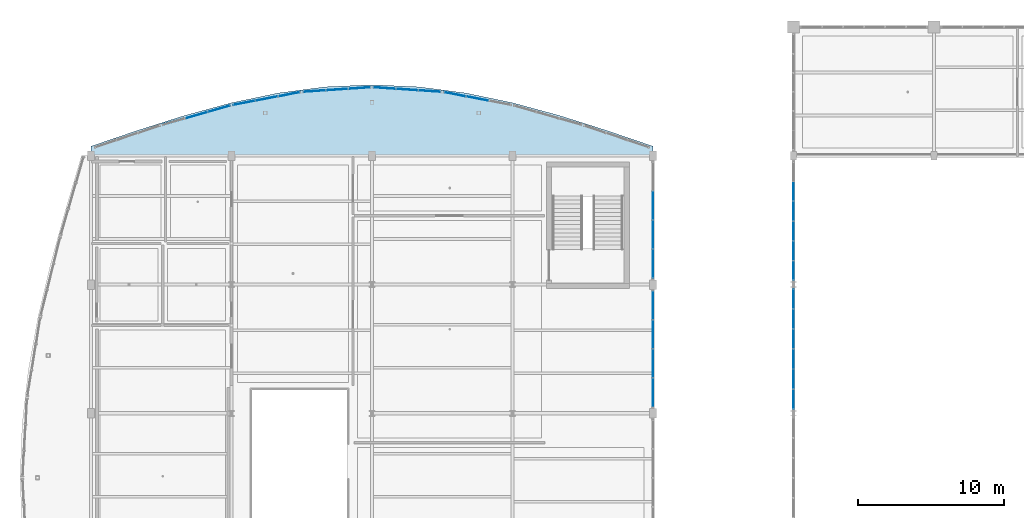
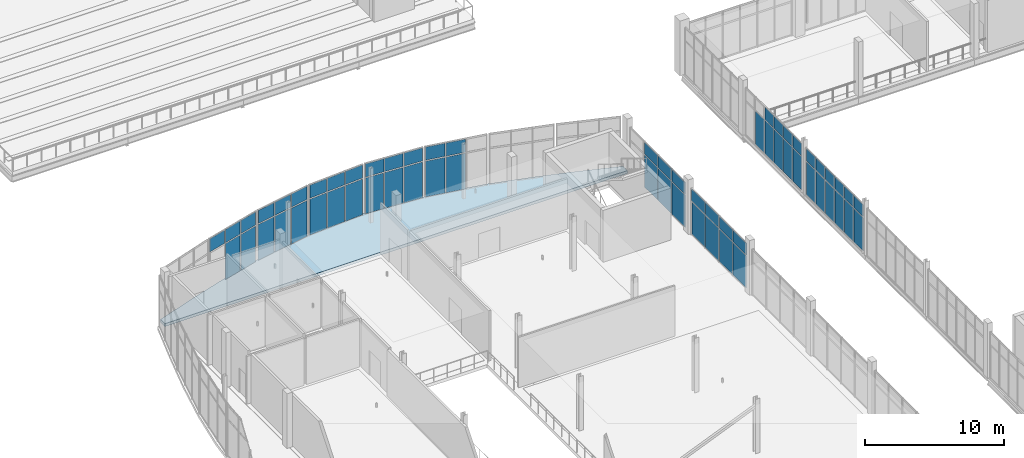
# One storey, part 117 of 157: 62 plates, 1 slab, 9 elements without a shape of their own.
"""IFC4 building model written with IfcOpenShell, lengths in metres."""

from ifc_helpers import new_model, si_unit, direction, frame, origin, origin_2d, place, context, subcontext, project, spatial, polyline, rectangle, outline, extrude, material, layer, layer_set, type_object, element, aggregate, save


model = new_model("IFC4")

# Units and contexts
model_context = context("Model", 3, precision=1e-05, world=origin(), true_north=direction((0.0, 1.0)))
body_context = subcontext(model_context, "Body", "Model", "MODEL_VIEW")
ifc_project = project(units=[si_unit("LENGTHUNIT", "METRE"), si_unit("AREAUNIT", "SQUARE_METRE"), si_unit("VOLUMEUNIT", "CUBIC_METRE"), si_unit("PLANEANGLEUNIT", "RADIAN"), si_unit("MASSUNIT", "GRAM", prefix="KILO")], contexts=[model_context])

# Site, building, storey
site_placement = place(None, origin())
site = spatial("IfcSite", under=ifc_project, at=site_placement, CompositionType="ELEMENT")
building_placement = place(site_placement, origin())
building = spatial("IfcBuilding", under=site, at=building_placement, Name="Chalmorin Arch Market", CompositionType="ELEMENT")
storey_placement = place(building_placement, frame((0.0, 0.0, 4.800048828125)))
storey = spatial("IfcBuildingStorey", under=building, at=storey_placement, Name="L01", CompositionType="ELEMENT", Elevation=4.800048828125)

# Slab
ifc_material_1 = material(Name="Concrete C40/50", Category="concrete")
ifc_layer_1 = layer(ifc_material_1, 0.25)
ifc_layer_set_1 = layer_set([ifc_layer_1], Name="Concrete C40/50")
slab_type = type_object("IfcSlabType", Name="MezzanineDeckSlab-250", PredefinedType="FLOOR", material=ifc_layer_set_1)
slab_placement = place(storey_placement, frame((0.0, 0.0, -0.25)))
element("IfcSlab", 1, at=slab_placement, inside=storey, type_object=slab_type, Name="FS-250-129", PredefinedType="FLOOR", context=body_context, shape_type="SweptSolid", body=[
    extrude(outline(polyline([(0.0, 50.02001953125), (0.0, 50.64990234375), (3.199951171875, 51.737060546875), (6.39990234375, 52.75), (9.60009765625, 53.6201171875), (12.800048828125, 54.287109375), (16.0, 54.70703125), (19.199951171875, 54.85009765625), (22.39990234375, 54.70703125), (25.60009765625, 54.287109375), (28.800048828125, 53.6201171875), (32.0, 52.75), (35.199951171875, 51.737060546875), (38.39990234375, 50.64990234375), (38.39990234375, 50.02001953125), (0.0, 50.02001953125)])), origin(), (0.0, 0.0, 1.0), 0.25),
])

# Curtain wall, plates
ifc_material_2 = material(Name="Aluminium 6063-T6", Category="aluminium")
ifc_layer_2 = layer(ifc_material_2, 0.159912109375)
ifc_layer_set_2 = layer_set([ifc_layer_2], Name="Aluminium 6063-T6")
curtain_wall_type_1 = type_object("IfcCurtainWallType", Name="GableTympanumCurtainWall-CW4-8220x4200", PredefinedType="NOTDEFINED", material=ifc_layer_set_2)
curtain_wall_1_placement = place(storey_placement, origin())
curtain_wall_1 = element("IfcCurtainWall", 2, at=curtain_wall_1_placement, inside=storey, type_object=curtain_wall_type_1, Name="CW-04-031", PredefinedType="NOTDEFINED")
ifc_material_3 = material(Name="Powder-coated Aluminium Panel", Category="aluminium")
ifc_layer_3 = layer(ifc_material_3, 0.0400390625)
ifc_layer_set_3 = layer_set([ifc_layer_3], Name="Powder-coated Aluminium Panel")
plate_type_1 = type_object("IfcPlateType", Name="ShadowboxSpandrelPanel-40", PredefinedType="CURTAIN_PANEL", material=ifc_layer_set_3)
plate_1_placement = place(storey_placement, frame((48.0, 33.373291015625, 3.06884765625), z_axis=(0.0, 0.0, 1.0), x_axis=(0.0, 1.0, 0.0)))
plate_1 = element("IfcPlate", 3, at=plate_1_placement, type_object=plate_type_1, Name="SP-40-031-01B", PredefinedType="CURTAIN_PANEL", context=body_context, shape_type="SweptSolid", body=[
    extrude(rectangle(XDim=1.290771484375, YDim=0.0400390625, at=origin_2d()), origin(), (0.0, 0.0, 1.0), 1.06103515625),
])
plate_2_placement = place(storey_placement, frame((48.0, 34.743896484375, 3.06884765625), z_axis=(0.0, 0.0, 1.0), x_axis=(0.0, 1.0, 0.0)))
plate_2 = element("IfcPlate", 4, at=plate_2_placement, type_object=plate_type_1, Name="SP-40-031-02B", PredefinedType="CURTAIN_PANEL", context=body_context, shape_type="SweptSolid", body=[
    extrude(rectangle(XDim=1.290771484375, YDim=0.0400390625, at=origin_2d()), origin(), (0.0, 0.0, 1.0), 1.06103515625),
])
plate_3_placement = place(storey_placement, frame((48.0, 36.11474609375, 3.06884765625), z_axis=(0.0, 0.0, 1.0), x_axis=(0.0, 1.0, 0.0)))
plate_3 = element("IfcPlate", 5, at=plate_3_placement, type_object=plate_type_1, Name="SP-40-031-03B", PredefinedType="CURTAIN_PANEL", context=body_context, shape_type="SweptSolid", body=[
    extrude(rectangle(XDim=1.290771484375, YDim=0.0400390625, at=origin_2d()), origin(), (0.0, 0.0, 1.0), 1.06103515625),
])
plate_4_placement = place(storey_placement, frame((48.0, 37.4853515625, 3.06884765625), z_axis=(0.0, 0.0, 1.0), x_axis=(0.0, 1.0, 0.0)))
plate_4 = element("IfcPlate", 6, at=plate_4_placement, type_object=plate_type_1, Name="SP-40-031-04B", PredefinedType="CURTAIN_PANEL", context=body_context, shape_type="SweptSolid", body=[
    extrude(rectangle(XDim=1.290771484375, YDim=0.0400390625, at=origin_2d()), origin(), (0.0, 0.0, 1.0), 1.06103515625),
])
plate_5_placement = place(storey_placement, frame((48.0, 38.85595703125, 3.06884765625), z_axis=(0.0, 0.0, 1.0), x_axis=(0.0, 1.0, 0.0)))
plate_5 = element("IfcPlate", 7, at=plate_5_placement, type_object=plate_type_1, Name="SP-40-031-05B", PredefinedType="CURTAIN_PANEL", context=body_context, shape_type="SweptSolid", body=[
    extrude(rectangle(XDim=1.290771484375, YDim=0.0400390625, at=origin_2d()), origin(), (0.0, 0.0, 1.0), 1.06103515625),
])
plate_6_placement = place(storey_placement, frame((48.0, 40.226806640625, 3.06884765625), z_axis=(0.0, 0.0, 1.0), x_axis=(0.0, 1.0, 0.0)))
plate_6 = element("IfcPlate", 8, at=plate_6_placement, type_object=plate_type_1, Name="SP-40-031-06B", PredefinedType="CURTAIN_PANEL", context=body_context, shape_type="SweptSolid", body=[
    extrude(rectangle(XDim=1.290771484375, YDim=0.0400390625, at=origin_2d()), origin(), (0.0, 0.0, 1.0), 1.06103515625),
])

ifc_layer_4 = layer(ifc_material_2, 0.159912109375)
ifc_layer_set_4 = layer_set([ifc_layer_4], Name="Aluminium 6063-T6")
curtain_wall_type_2 = type_object("IfcCurtainWallType", Name="GableTympanumCurtainWall-CW4-8100x4200", PredefinedType="NOTDEFINED", material=ifc_layer_set_4)
curtain_wall_2_placement = place(storey_placement, origin())
curtain_wall_2 = element("IfcCurtainWall", 9, at=curtain_wall_2_placement, inside=storey, type_object=curtain_wall_type_2, Name="CW-04-032", PredefinedType="NOTDEFINED")
plate_7_placement = place(storey_placement, frame((48.0, 42.1630859375, 3.06884765625), z_axis=(0.0, 0.0, 1.0), x_axis=(0.0, 1.0, 0.0)))
plate_7 = element("IfcPlate", 10, at=plate_7_placement, type_object=plate_type_1, Name="SP-40-032-01B", PredefinedType="CURTAIN_PANEL", context=body_context, shape_type="SweptSolid", body=[
    extrude(rectangle(XDim=1.270263671875, YDim=0.0400390625, at=origin_2d()), origin(), (0.0, 0.0, 1.0), 1.06103515625),
])
plate_8_placement = place(storey_placement, frame((48.0, 43.513427734375, 3.06884765625), z_axis=(0.0, 0.0, 1.0), x_axis=(0.0, 1.0, 0.0)))
plate_8 = element("IfcPlate", 11, at=plate_8_placement, type_object=plate_type_1, Name="SP-40-032-02B", PredefinedType="CURTAIN_PANEL", context=body_context, shape_type="SweptSolid", body=[
    extrude(rectangle(XDim=1.270263671875, YDim=0.0400390625, at=origin_2d()), origin(), (0.0, 0.0, 1.0), 1.06103515625),
])
plate_9_placement = place(storey_placement, frame((48.0, 44.86376953125, 3.06884765625), z_axis=(0.0, 0.0, 1.0), x_axis=(0.0, 1.0, 0.0)))
plate_9 = element("IfcPlate", 12, at=plate_9_placement, type_object=plate_type_1, Name="SP-40-032-03B", PredefinedType="CURTAIN_PANEL", context=body_context, shape_type="SweptSolid", body=[
    extrude(rectangle(XDim=1.270263671875, YDim=0.0400390625, at=origin_2d()), origin(), (0.0, 0.0, 1.0), 1.06103515625),
])
plate_10_placement = place(storey_placement, frame((48.0, 46.214111328125, 3.06884765625), z_axis=(0.0, 0.0, 1.0), x_axis=(0.0, 1.0, 0.0)))
plate_10 = element("IfcPlate", 13, at=plate_10_placement, type_object=plate_type_1, Name="SP-40-032-04B", PredefinedType="CURTAIN_PANEL", context=body_context, shape_type="SweptSolid", body=[
    extrude(rectangle(XDim=1.270263671875, YDim=0.0400390625, at=origin_2d()), origin(), (0.0, 0.0, 1.0), 1.06103515625),
])

ifc_layer_5 = layer(ifc_material_2, 0.159912109375)
ifc_layer_set_5 = layer_set([ifc_layer_5], Name="Aluminium 6063-T6")
curtain_wall_type_3 = type_object("IfcCurtainWallType", Name="RiverfrontStorefrontCurtainWall-CW2-4810x4520", PredefinedType="NOTDEFINED", material=ifc_layer_set_5)
curtain_wall_3_placement = place(storey_placement, origin())
curtain_wall_3 = element("IfcCurtainWall", 14, at=curtain_wall_3_placement, inside=storey, type_object=curtain_wall_type_3, Name="CW-02-073", PredefinedType="NOTDEFINED")
plate_11_placement = place(storey_placement, frame((5.65771484375, 52.33056640625, 3.29931640625), z_axis=(0.0, 0.0, 1.0), x_axis=(0.961261695938, 0.275637355817, 0.0)))
plate_11 = element("IfcPlate", 15, at=plate_11_placement, type_object=plate_type_1, Name="SP-40-073-01B", PredefinedType="CURTAIN_PANEL", context=body_context, shape_type="SweptSolid", body=[
    extrude(rectangle(XDim=1.523193359375, YDim=0.0400390625, at=origin_2d()), origin(), (0.0, 0.0, 1.0), 1.150634765625),
])
plate_12_placement = place(storey_placement, frame((7.199951171875, 52.7685546875, 3.29931640625), z_axis=(0.0, 0.0, 1.0), x_axis=(0.961261695938, 0.275637355817, 0.0)))
plate_12 = element("IfcPlate", 16, at=plate_12_placement, type_object=plate_type_1, Name="SP-40-073-02B", PredefinedType="CURTAIN_PANEL", context=body_context, shape_type="SweptSolid", body=[
    extrude(rectangle(XDim=1.523193359375, YDim=0.0400390625, at=origin_2d()), origin(), (0.0, 0.0, 1.0), 1.150634765625),
])
plate_13_placement = place(storey_placement, frame((8.7421875, 53.206298828125, 3.29931640625), z_axis=(0.0, 0.0, 1.0), x_axis=(0.961261695938, 0.275637355817, 0.0)))
plate_13 = element("IfcPlate", 17, at=plate_13_placement, type_object=plate_type_1, Name="SP-40-073-03B", PredefinedType="CURTAIN_PANEL", context=body_context, shape_type="SweptSolid", body=[
    extrude(rectangle(XDim=1.523193359375, YDim=0.0400390625, at=origin_2d()), origin(), (0.0, 0.0, 1.0), 1.150634765625),
])

ifc_layer_6 = layer(ifc_material_2, 0.159912109375)
ifc_layer_set_6 = layer_set([ifc_layer_6], Name="Aluminium 6063-T6")
curtain_wall_type_4 = type_object("IfcCurtainWallType", Name="RiverfrontStorefrontCurtainWall-CW2-4710x4520", PredefinedType="NOTDEFINED", material=ifc_layer_set_6)
curtain_wall_4_placement = place(storey_placement, origin())
curtain_wall_4 = element("IfcCurtainWall", 18, at=curtain_wall_4_placement, inside=storey, type_object=curtain_wall_type_4, Name="CW-02-076", PredefinedType="NOTDEFINED")
plate_14_placement = place(storey_placement, frame((10.458984375, 53.61279296875, 3.29931640625), z_axis=(0.0, 0.0, 1.0), x_axis=(0.981627183448, 0.190808995377, 0.0)))
plate_14 = element("IfcPlate", 19, at=plate_14_placement, type_object=plate_type_1, Name="SP-40-076-01B", PredefinedType="CURTAIN_PANEL", context=body_context, shape_type="SweptSolid", body=[
    extrude(rectangle(XDim=1.488525390625, YDim=0.0400390625, at=origin_2d()), origin(), (0.0, 0.0, 1.0), 1.150634765625),
])
plate_15_placement = place(storey_placement, frame((12.0, 53.905029296875, 3.29931640625), z_axis=(0.0, 0.0, 1.0), x_axis=(0.981627183448, 0.190808995377, 0.0)))
plate_15 = element("IfcPlate", 20, at=plate_15_placement, type_object=plate_type_1, Name="SP-40-076-02B", PredefinedType="CURTAIN_PANEL", context=body_context, shape_type="SweptSolid", body=[
    extrude(rectangle(XDim=1.488525390625, YDim=0.0400390625, at=origin_2d()), origin(), (0.0, 0.0, 1.0), 1.150634765625),
])
plate_16_placement = place(storey_placement, frame((13.541015625, 54.197021484375, 3.29931640625), z_axis=(0.0, 0.0, 1.0), x_axis=(0.981627183448, 0.190808995377, 0.0)))
plate_16 = element("IfcPlate", 21, at=plate_16_placement, type_object=plate_type_1, Name="SP-40-076-03B", PredefinedType="CURTAIN_PANEL", context=body_context, shape_type="SweptSolid", body=[
    extrude(rectangle(XDim=1.488525390625, YDim=0.0400390625, at=origin_2d()), origin(), (0.0, 0.0, 1.0), 1.150634765625),
])

ifc_layer_7 = layer(ifc_material_2, 0.159912109375)
ifc_layer_set_7 = layer_set([ifc_layer_7], Name="Aluminium 6063-T6")
curtain_wall_type_5 = type_object("IfcCurtainWallType", Name="RiverfrontStorefrontCurtainWall-CW2-4630x4520", PredefinedType="NOTDEFINED", material=ifc_layer_set_7)
curtain_wall_5_placement = place(storey_placement, origin())
curtain_wall_5 = element("IfcCurtainWall", 22, at=curtain_wall_5_placement, inside=storey, type_object=curtain_wall_type_5, Name="CW-02-079", PredefinedType="NOTDEFINED")
plate_17_placement = place(storey_placement, frame((15.260009765625, 54.417236328125, 3.29931640625), z_axis=(0.0, 0.0, 1.0), x_axis=(0.99756405026, 0.069756473744, 0.0)))
plate_17 = element("IfcPlate", 23, at=plate_17_placement, type_object=plate_type_1, Name="SP-40-079-01B", PredefinedType="CURTAIN_PANEL", context=body_context, shape_type="SweptSolid", body=[
    extrude(rectangle(XDim=1.463623046875, YDim=0.0400390625, at=origin_2d()), origin(), (0.0, 0.0, 1.0), 1.150634765625),
])
plate_18_placement = place(storey_placement, frame((16.800048828125, 54.52001953125, 3.29931640625), z_axis=(0.0, 0.0, 1.0), x_axis=(0.99756405026, 0.069756473744, 0.0)))
plate_18 = element("IfcPlate", 24, at=plate_18_placement, type_object=plate_type_1, Name="SP-40-079-02B", PredefinedType="CURTAIN_PANEL", context=body_context, shape_type="SweptSolid", body=[
    extrude(rectangle(XDim=1.463623046875, YDim=0.0400390625, at=origin_2d()), origin(), (0.0, 0.0, 1.0), 1.150634765625),
])
plate_19_placement = place(storey_placement, frame((18.340087890625, 54.622802734375, 3.29931640625), z_axis=(0.0, 0.0, 1.0), x_axis=(0.99756405026, 0.069756473744, 0.0)))
plate_19 = element("IfcPlate", 25, at=plate_19_placement, type_object=plate_type_1, Name="SP-40-079-03B", PredefinedType="CURTAIN_PANEL", context=body_context, shape_type="SweptSolid", body=[
    extrude(rectangle(XDim=1.463623046875, YDim=0.0400390625, at=origin_2d()), origin(), (0.0, 0.0, 1.0), 1.150634765625),
])

curtain_wall_6_placement = place(storey_placement, origin())
curtain_wall_6 = element("IfcCurtainWall", 26, at=curtain_wall_6_placement, inside=storey, type_object=curtain_wall_type_5, Name="CW-02-082", PredefinedType="NOTDEFINED")
plate_20_placement = place(storey_placement, frame((20.059814453125, 54.622802734375, 3.29931640625), z_axis=(0.0, 0.0, 1.0), x_axis=(0.99756405026, -0.069756473744, 0.0)))
plate_20 = element("IfcPlate", 27, at=plate_20_placement, type_object=plate_type_1, Name="SP-40-082-01B", PredefinedType="CURTAIN_PANEL", context=body_context, shape_type="SweptSolid", body=[
    extrude(rectangle(XDim=1.463623046875, YDim=0.0400390625, at=origin_2d()), origin(), (0.0, 0.0, 1.0), 1.150634765625),
])
plate_21_placement = place(storey_placement, frame((21.60009765625, 54.52001953125, 3.29931640625), z_axis=(0.0, 0.0, 1.0), x_axis=(0.99756405026, -0.069756473744, 0.0)))
plate_21 = element("IfcPlate", 28, at=plate_21_placement, type_object=plate_type_1, Name="SP-40-082-02B", PredefinedType="CURTAIN_PANEL", context=body_context, shape_type="SweptSolid", body=[
    extrude(rectangle(XDim=1.463623046875, YDim=0.0400390625, at=origin_2d()), origin(), (0.0, 0.0, 1.0), 1.150634765625),
])
plate_22_placement = place(storey_placement, frame((23.14013671875, 54.417236328125, 3.29931640625), z_axis=(0.0, 0.0, 1.0), x_axis=(0.99756405026, -0.069756473744, 0.0)))
plate_22 = element("IfcPlate", 29, at=plate_22_placement, type_object=plate_type_1, Name="SP-40-082-03B", PredefinedType="CURTAIN_PANEL", context=body_context, shape_type="SweptSolid", body=[
    extrude(rectangle(XDim=1.463623046875, YDim=0.0400390625, at=origin_2d()), origin(), (0.0, 0.0, 1.0), 1.150634765625),
])

curtain_wall_7_placement = place(storey_placement, origin())
curtain_wall_7 = element("IfcCurtainWall", 30, at=curtain_wall_7_placement, inside=storey, type_object=curtain_wall_type_4, Name="CW-02-085", PredefinedType="NOTDEFINED")
plate_23_placement = place(storey_placement, frame((24.85888671875, 54.197021484375, 3.29931640625), z_axis=(0.0, 0.0, 1.0), x_axis=(0.981627183448, -0.190808995377, 0.0)))
plate_23 = element("IfcPlate", 31, at=plate_23_placement, type_object=plate_type_1, Name="SP-40-085-01B", PredefinedType="CURTAIN_PANEL", context=body_context, shape_type="SweptSolid", body=[
    extrude(rectangle(XDim=1.488525390625, YDim=0.0400390625, at=origin_2d()), origin(), (0.0, 0.0, 1.0), 1.150634765625),
])
plate_24_placement = place(storey_placement, frame((26.39990234375, 53.905029296875, 3.29931640625), z_axis=(0.0, 0.0, 1.0), x_axis=(0.981627183448, -0.190808995377, 0.0)))
plate_24 = element("IfcPlate", 32, at=plate_24_placement, type_object=plate_type_1, Name="SP-40-085-02B", PredefinedType="CURTAIN_PANEL", context=body_context, shape_type="SweptSolid", body=[
    extrude(rectangle(XDim=1.488525390625, YDim=0.0400390625, at=origin_2d()), origin(), (0.0, 0.0, 1.0), 1.150634765625),
])

ifc_layer_8 = layer(ifc_material_2, 0.159912109375)
ifc_layer_set_8 = layer_set([ifc_layer_8], Name="Aluminium 6063-T6")
curtain_wall_type_6 = type_object("IfcCurtainWallType", Name="RiverfrontStorefrontCurtainWall-CW2-7930x4080", PredefinedType="NOTDEFINED", material=ifc_layer_set_8)
curtain_wall_8_placement = place(storey_placement, origin())
curtain_wall_8 = element("IfcCurtainWall", 33, at=curtain_wall_8_placement, inside=storey, type_object=curtain_wall_type_6, Name="CW-02-103", PredefinedType="NOTDEFINED")
plate_25_placement = place(storey_placement, frame((38.39990234375, 33.826416015625, 2.9794921875), z_axis=(0.0, 0.0, 1.0), x_axis=(0.0, 1.0, 0.0)))
plate_25 = element("IfcPlate", 34, at=plate_25_placement, type_object=plate_type_1, Name="SP-40-103-01B", PredefinedType="CURTAIN_PANEL", context=body_context, shape_type="SweptSolid", body=[
    extrude(rectangle(XDim=1.902587890625, YDim=0.0400390625, at=origin_2d()), origin(), (0.0, 0.0, 1.0), 1.0263671875),
])
plate_26_placement = place(storey_placement, frame((38.39990234375, 35.808837890625, 2.9794921875), z_axis=(0.0, 0.0, 1.0), x_axis=(0.0, 1.0, 0.0)))
plate_26 = element("IfcPlate", 35, at=plate_26_placement, type_object=plate_type_1, Name="SP-40-103-02B", PredefinedType="CURTAIN_PANEL", context=body_context, shape_type="SweptSolid", body=[
    extrude(rectangle(XDim=1.902587890625, YDim=0.0400390625, at=origin_2d()), origin(), (0.0, 0.0, 1.0), 1.0263671875),
])
plate_27_placement = place(storey_placement, frame((38.39990234375, 37.791259765625, 2.9794921875), z_axis=(0.0, 0.0, 1.0), x_axis=(0.0, 1.0, 0.0)))
plate_27 = element("IfcPlate", 36, at=plate_27_placement, type_object=plate_type_1, Name="SP-40-103-03B", PredefinedType="CURTAIN_PANEL", context=body_context, shape_type="SweptSolid", body=[
    extrude(rectangle(XDim=1.902587890625, YDim=0.0400390625, at=origin_2d()), origin(), (0.0, 0.0, 1.0), 1.0263671875),
])
plate_28_placement = place(storey_placement, frame((38.39990234375, 39.773681640625, 2.9794921875), z_axis=(0.0, 0.0, 1.0), x_axis=(0.0, 1.0, 0.0)))
plate_28 = element("IfcPlate", 37, at=plate_28_placement, type_object=plate_type_1, Name="SP-40-103-04B", PredefinedType="CURTAIN_PANEL", context=body_context, shape_type="SweptSolid", body=[
    extrude(rectangle(XDim=1.902587890625, YDim=0.0400390625, at=origin_2d()), origin(), (0.0, 0.0, 1.0), 1.0263671875),
])

curtain_wall_9_placement = place(storey_placement, origin())
curtain_wall_9 = element("IfcCurtainWall", 38, at=curtain_wall_9_placement, inside=storey, type_object=curtain_wall_type_6, Name="CW-02-105", PredefinedType="NOTDEFINED")
plate_29_placement = place(storey_placement, frame((38.39990234375, 42.626220703125, 2.9794921875), z_axis=(0.0, 0.0, 1.0), x_axis=(0.0, 1.0, 0.0)))
plate_29 = element("IfcPlate", 39, at=plate_29_placement, type_object=plate_type_1, Name="SP-40-105-01B", PredefinedType="CURTAIN_PANEL", context=body_context, shape_type="SweptSolid", body=[
    extrude(rectangle(XDim=1.902587890625, YDim=0.0400390625, at=origin_2d()), origin(), (0.0, 0.0, 1.0), 1.0263671875),
])
plate_30_placement = place(storey_placement, frame((38.39990234375, 44.60888671875, 2.9794921875), z_axis=(0.0, 0.0, 1.0), x_axis=(0.0, 1.0, 0.0)))
plate_30 = element("IfcPlate", 40, at=plate_30_placement, type_object=plate_type_1, Name="SP-40-105-02B", PredefinedType="CURTAIN_PANEL", context=body_context, shape_type="SweptSolid", body=[
    extrude(rectangle(XDim=1.902587890625, YDim=0.0400390625, at=origin_2d()), origin(), (0.0, 0.0, 1.0), 1.0263671875),
])
plate_31_placement = place(storey_placement, frame((38.39990234375, 46.59130859375, 2.9794921875), z_axis=(0.0, 0.0, 1.0), x_axis=(0.0, 1.0, 0.0)))
plate_31 = element("IfcPlate", 41, at=plate_31_placement, type_object=plate_type_1, Name="SP-40-105-03B", PredefinedType="CURTAIN_PANEL", context=body_context, shape_type="SweptSolid", body=[
    extrude(rectangle(XDim=1.902587890625, YDim=0.0400390625, at=origin_2d()), origin(), (0.0, 0.0, 1.0), 1.0263671875),
])

# Plate
ifc_material_4 = material(Name="Low-E Tempered Glass", Category="glass")
ifc_layer_9 = layer(ifc_material_4, 0.028076171875)
ifc_layer_set_9 = layer_set([ifc_layer_9], Name="Low-E Tempered Glass")
plate_type_2 = type_object("IfcPlateType", Name="VisionIGUPanel-28", PredefinedType="CURTAIN_PANEL", material=ifc_layer_set_9)
plate_32_placement = place(storey_placement, frame((48.0, 33.373291015625, 0.06982421875), z_axis=(0.0, 0.0, 1.0), x_axis=(0.0, 1.0, 0.0)))
plate_32 = element("IfcPlate", 42, at=plate_32_placement, type_object=plate_type_2, Name="GL-28-031-01A", PredefinedType="CURTAIN_PANEL", context=body_context, shape_type="SweptSolid", body=[
    extrude(rectangle(XDim=1.290771484375, YDim=0.028076171875, at=origin_2d()), origin(), (0.0, 0.0, 1.0), 2.908935546875),
])

plate_33_placement = place(storey_placement, frame((48.0, 34.743896484375, 0.06982421875), z_axis=(0.0, 0.0, 1.0), x_axis=(0.0, 1.0, 0.0)))
plate_33 = element("IfcPlate", 43, at=plate_33_placement, type_object=plate_type_2, Name="GL-28-031-02A", PredefinedType="CURTAIN_PANEL", context=body_context, shape_type="SweptSolid", body=[
    extrude(rectangle(XDim=1.290771484375, YDim=0.028076171875, at=origin_2d()), origin(), (0.0, 0.0, 1.0), 2.908935546875),
])

plate_34_placement = place(storey_placement, frame((48.0, 36.11474609375, 0.06982421875), z_axis=(0.0, 0.0, 1.0), x_axis=(0.0, 1.0, 0.0)))
plate_34 = element("IfcPlate", 44, at=plate_34_placement, type_object=plate_type_2, Name="GL-28-031-03A", PredefinedType="CURTAIN_PANEL", context=body_context, shape_type="SweptSolid", body=[
    extrude(rectangle(XDim=1.290771484375, YDim=0.028076171875, at=origin_2d()), origin(), (0.0, 0.0, 1.0), 2.908935546875),
])

plate_35_placement = place(storey_placement, frame((48.0, 37.4853515625, 0.06982421875), z_axis=(0.0, 0.0, 1.0), x_axis=(0.0, 1.0, 0.0)))
plate_35 = element("IfcPlate", 45, at=plate_35_placement, type_object=plate_type_2, Name="GL-28-031-04A", PredefinedType="CURTAIN_PANEL", context=body_context, shape_type="SweptSolid", body=[
    extrude(rectangle(XDim=1.290771484375, YDim=0.028076171875, at=origin_2d()), origin(), (0.0, 0.0, 1.0), 2.908935546875),
])

plate_36_placement = place(storey_placement, frame((48.0, 38.85595703125, 0.06982421875), z_axis=(0.0, 0.0, 1.0), x_axis=(0.0, 1.0, 0.0)))
plate_36 = element("IfcPlate", 46, at=plate_36_placement, type_object=plate_type_2, Name="GL-28-031-05A", PredefinedType="CURTAIN_PANEL", context=body_context, shape_type="SweptSolid", body=[
    extrude(rectangle(XDim=1.290771484375, YDim=0.028076171875, at=origin_2d()), origin(), (0.0, 0.0, 1.0), 2.908935546875),
])

plate_37_placement = place(storey_placement, frame((48.0, 40.226806640625, 0.06982421875), z_axis=(0.0, 0.0, 1.0), x_axis=(0.0, 1.0, 0.0)))
plate_37 = element("IfcPlate", 47, at=plate_37_placement, type_object=plate_type_2, Name="GL-28-031-06A", PredefinedType="CURTAIN_PANEL", context=body_context, shape_type="SweptSolid", body=[
    extrude(rectangle(XDim=1.290771484375, YDim=0.028076171875, at=origin_2d()), origin(), (0.0, 0.0, 1.0), 2.908935546875),
])

aggregate(curtain_wall_1, [plate_32, plate_1, plate_33, plate_2, plate_34, plate_3, plate_35, plate_4, plate_36, plate_5, plate_37, plate_6])

plate_38_placement = place(storey_placement, frame((48.0, 42.1630859375, 0.06982421875), z_axis=(0.0, 0.0, 1.0), x_axis=(0.0, 1.0, 0.0)))
plate_38 = element("IfcPlate", 48, at=plate_38_placement, type_object=plate_type_2, Name="GL-28-032-01A", PredefinedType="CURTAIN_PANEL", context=body_context, shape_type="SweptSolid", body=[
    extrude(rectangle(XDim=1.270263671875, YDim=0.028076171875, at=origin_2d()), origin(), (0.0, 0.0, 1.0), 2.908935546875),
])

plate_39_placement = place(storey_placement, frame((48.0, 43.513427734375, 0.06982421875), z_axis=(0.0, 0.0, 1.0), x_axis=(0.0, 1.0, 0.0)))
plate_39 = element("IfcPlate", 49, at=plate_39_placement, type_object=plate_type_2, Name="GL-28-032-02A", PredefinedType="CURTAIN_PANEL", context=body_context, shape_type="SweptSolid", body=[
    extrude(rectangle(XDim=1.270263671875, YDim=0.028076171875, at=origin_2d()), origin(), (0.0, 0.0, 1.0), 2.908935546875),
])

plate_40_placement = place(storey_placement, frame((48.0, 44.86376953125, 0.06982421875), z_axis=(0.0, 0.0, 1.0), x_axis=(0.0, 1.0, 0.0)))
plate_40 = element("IfcPlate", 50, at=plate_40_placement, type_object=plate_type_2, Name="GL-28-032-03A", PredefinedType="CURTAIN_PANEL", context=body_context, shape_type="SweptSolid", body=[
    extrude(rectangle(XDim=1.270263671875, YDim=0.028076171875, at=origin_2d()), origin(), (0.0, 0.0, 1.0), 2.908935546875),
])

plate_41_placement = place(storey_placement, frame((48.0, 46.214111328125, 0.06982421875), z_axis=(0.0, 0.0, 1.0), x_axis=(0.0, 1.0, 0.0)))
plate_41 = element("IfcPlate", 51, at=plate_41_placement, type_object=plate_type_2, Name="GL-28-032-04A", PredefinedType="CURTAIN_PANEL", context=body_context, shape_type="SweptSolid", body=[
    extrude(rectangle(XDim=1.270263671875, YDim=0.028076171875, at=origin_2d()), origin(), (0.0, 0.0, 1.0), 2.908935546875),
])

plate_42_placement = place(storey_placement, frame((48.0, 47.564453125, 0.06982421875), z_axis=(0.0, 0.0, 1.0), x_axis=(0.0, 1.0, 0.0)))
plate_42 = element("IfcPlate", 52, at=plate_42_placement, type_object=plate_type_2, Name="GL-28-032-05A", PredefinedType="CURTAIN_PANEL", context=body_context, shape_type="SweptSolid", body=[
    extrude(rectangle(XDim=1.270263671875, YDim=0.028076171875, at=origin_2d()), origin(), (0.0, 0.0, 1.0), 2.908935546875),
])

aggregate(curtain_wall_2, [plate_38, plate_7, plate_39, plate_8, plate_40, plate_9, plate_41, plate_10, plate_42])

plate_43_placement = place(storey_placement, frame((7.199951171875, 52.7685546875, 0.06982421875), z_axis=(0.0, 0.0, 1.0), x_axis=(0.961261695938, 0.275637355817, 0.0)))
plate_43 = element("IfcPlate", 53, at=plate_43_placement, type_object=plate_type_2, Name="GL-28-073-02A", PredefinedType="CURTAIN_PANEL", context=body_context, shape_type="SweptSolid", body=[
    extrude(rectangle(XDim=1.523193359375, YDim=0.028076171875, at=origin_2d()), origin(), (0.0, 0.0, 1.0), 3.139404296875),
])

plate_44_placement = place(storey_placement, frame((8.7421875, 53.206298828125, 0.06982421875), z_axis=(0.0, 0.0, 1.0), x_axis=(0.961261695938, 0.275637355817, 0.0)))
plate_44 = element("IfcPlate", 54, at=plate_44_placement, type_object=plate_type_2, Name="GL-28-073-03A", PredefinedType="CURTAIN_PANEL", context=body_context, shape_type="SweptSolid", body=[
    extrude(rectangle(XDim=1.523193359375, YDim=0.028076171875, at=origin_2d()), origin(), (0.0, 0.0, 1.0), 3.139404296875),
])

aggregate(curtain_wall_3, [plate_11, plate_43, plate_12, plate_44, plate_13])

plate_45_placement = place(storey_placement, frame((10.458984375, 53.61279296875, 0.06982421875), z_axis=(0.0, 0.0, 1.0), x_axis=(0.981627183448, 0.190808995377, 0.0)))
plate_45 = element("IfcPlate", 55, at=plate_45_placement, type_object=plate_type_2, Name="GL-28-076-01A", PredefinedType="CURTAIN_PANEL", context=body_context, shape_type="SweptSolid", body=[
    extrude(rectangle(XDim=1.488525390625, YDim=0.028076171875, at=origin_2d()), origin(), (0.0, 0.0, 1.0), 3.139404296875),
])

plate_46_placement = place(storey_placement, frame((12.0, 53.905029296875, 0.06982421875), z_axis=(0.0, 0.0, 1.0), x_axis=(0.981627183448, 0.190808995377, 0.0)))
plate_46 = element("IfcPlate", 56, at=plate_46_placement, type_object=plate_type_2, Name="GL-28-076-02A", PredefinedType="CURTAIN_PANEL", context=body_context, shape_type="SweptSolid", body=[
    extrude(rectangle(XDim=1.488525390625, YDim=0.028076171875, at=origin_2d()), origin(), (0.0, 0.0, 1.0), 3.139404296875),
])

plate_47_placement = place(storey_placement, frame((13.541015625, 54.197021484375, 0.06982421875), z_axis=(0.0, 0.0, 1.0), x_axis=(0.981627183448, 0.190808995377, 0.0)))
plate_47 = element("IfcPlate", 57, at=plate_47_placement, type_object=plate_type_2, Name="GL-28-076-03A", PredefinedType="CURTAIN_PANEL", context=body_context, shape_type="SweptSolid", body=[
    extrude(rectangle(XDim=1.488525390625, YDim=0.028076171875, at=origin_2d()), origin(), (0.0, 0.0, 1.0), 3.139404296875),
])

aggregate(curtain_wall_4, [plate_45, plate_14, plate_46, plate_15, plate_47, plate_16])

plate_48_placement = place(storey_placement, frame((15.260009765625, 54.417236328125, 0.06982421875), z_axis=(0.0, 0.0, 1.0), x_axis=(0.99756405026, 0.069756473744, 0.0)))
plate_48 = element("IfcPlate", 58, at=plate_48_placement, type_object=plate_type_2, Name="GL-28-079-01A", PredefinedType="CURTAIN_PANEL", context=body_context, shape_type="SweptSolid", body=[
    extrude(rectangle(XDim=1.463623046875, YDim=0.028076171875, at=origin_2d()), origin(), (0.0, 0.0, 1.0), 3.139404296875),
])

plate_49_placement = place(storey_placement, frame((16.800048828125, 54.52001953125, 0.06982421875), z_axis=(0.0, 0.0, 1.0), x_axis=(0.99756405026, 0.069756473744, 0.0)))
plate_49 = element("IfcPlate", 59, at=plate_49_placement, type_object=plate_type_2, Name="GL-28-079-02A", PredefinedType="CURTAIN_PANEL", context=body_context, shape_type="SweptSolid", body=[
    extrude(rectangle(XDim=1.463623046875, YDim=0.028076171875, at=origin_2d()), origin(), (0.0, 0.0, 1.0), 3.139404296875),
])

plate_50_placement = place(storey_placement, frame((18.340087890625, 54.622802734375, 0.06982421875), z_axis=(0.0, 0.0, 1.0), x_axis=(0.99756405026, 0.069756473744, 0.0)))
plate_50 = element("IfcPlate", 60, at=plate_50_placement, type_object=plate_type_2, Name="GL-28-079-03A", PredefinedType="CURTAIN_PANEL", context=body_context, shape_type="SweptSolid", body=[
    extrude(rectangle(XDim=1.463623046875, YDim=0.028076171875, at=origin_2d()), origin(), (0.0, 0.0, 1.0), 3.139404296875),
])

aggregate(curtain_wall_5, [plate_48, plate_17, plate_49, plate_18, plate_50, plate_19])

plate_51_placement = place(storey_placement, frame((20.059814453125, 54.622802734375, 0.06982421875), z_axis=(0.0, 0.0, 1.0), x_axis=(0.99756405026, -0.069756473744, 0.0)))
plate_51 = element("IfcPlate", 61, at=plate_51_placement, type_object=plate_type_2, Name="GL-28-082-01A", PredefinedType="CURTAIN_PANEL", context=body_context, shape_type="SweptSolid", body=[
    extrude(rectangle(XDim=1.463623046875, YDim=0.028076171875, at=origin_2d()), origin(), (0.0, 0.0, 1.0), 3.139404296875),
])

plate_52_placement = place(storey_placement, frame((21.60009765625, 54.52001953125, 0.06982421875), z_axis=(0.0, 0.0, 1.0), x_axis=(0.99756405026, -0.069756473744, 0.0)))
plate_52 = element("IfcPlate", 62, at=plate_52_placement, type_object=plate_type_2, Name="GL-28-082-02A", PredefinedType="CURTAIN_PANEL", context=body_context, shape_type="SweptSolid", body=[
    extrude(rectangle(XDim=1.463623046875, YDim=0.028076171875, at=origin_2d()), origin(), (0.0, 0.0, 1.0), 3.139404296875),
])

plate_53_placement = place(storey_placement, frame((23.14013671875, 54.417236328125, 0.06982421875), z_axis=(0.0, 0.0, 1.0), x_axis=(0.99756405026, -0.069756473744, 0.0)))
plate_53 = element("IfcPlate", 63, at=plate_53_placement, type_object=plate_type_2, Name="GL-28-082-03A", PredefinedType="CURTAIN_PANEL", context=body_context, shape_type="SweptSolid", body=[
    extrude(rectangle(XDim=1.463623046875, YDim=0.028076171875, at=origin_2d()), origin(), (0.0, 0.0, 1.0), 3.139404296875),
])

aggregate(curtain_wall_6, [plate_51, plate_20, plate_52, plate_21, plate_53, plate_22])

plate_54_placement = place(storey_placement, frame((24.85888671875, 54.197021484375, 0.06982421875), z_axis=(0.0, 0.0, 1.0), x_axis=(0.981627183448, -0.190808995377, 0.0)))
plate_54 = element("IfcPlate", 64, at=plate_54_placement, type_object=plate_type_2, Name="GL-28-085-01A", PredefinedType="CURTAIN_PANEL", context=body_context, shape_type="SweptSolid", body=[
    extrude(rectangle(XDim=1.488525390625, YDim=0.028076171875, at=origin_2d()), origin(), (0.0, 0.0, 1.0), 3.139404296875),
])

plate_55_placement = place(storey_placement, frame((26.39990234375, 53.905029296875, 0.06982421875), z_axis=(0.0, 0.0, 1.0), x_axis=(0.981627183448, -0.190808995377, 0.0)))
plate_55 = element("IfcPlate", 65, at=plate_55_placement, type_object=plate_type_2, Name="GL-28-085-02A", PredefinedType="CURTAIN_PANEL", context=body_context, shape_type="SweptSolid", body=[
    extrude(rectangle(XDim=1.488525390625, YDim=0.028076171875, at=origin_2d()), origin(), (0.0, 0.0, 1.0), 3.139404296875),
])

aggregate(curtain_wall_7, [plate_54, plate_23, plate_55, plate_24])

plate_56_placement = place(storey_placement, frame((38.39990234375, 33.826416015625, 0.06982421875), z_axis=(0.0, 0.0, 1.0), x_axis=(0.0, 1.0, 0.0)))
plate_56 = element("IfcPlate", 66, at=plate_56_placement, type_object=plate_type_2, Name="GL-28-103-01A", PredefinedType="CURTAIN_PANEL", context=body_context, shape_type="SweptSolid", body=[
    extrude(rectangle(XDim=1.902587890625, YDim=0.028076171875, at=origin_2d()), origin(), (0.0, 0.0, 1.0), 2.819580078125),
])

plate_57_placement = place(storey_placement, frame((38.39990234375, 35.808837890625, 0.06982421875), z_axis=(0.0, 0.0, 1.0), x_axis=(0.0, 1.0, 0.0)))
plate_57 = element("IfcPlate", 67, at=plate_57_placement, type_object=plate_type_2, Name="GL-28-103-02A", PredefinedType="CURTAIN_PANEL", context=body_context, shape_type="SweptSolid", body=[
    extrude(rectangle(XDim=1.902587890625, YDim=0.028076171875, at=origin_2d()), origin(), (0.0, 0.0, 1.0), 2.819580078125),
])

plate_58_placement = place(storey_placement, frame((38.39990234375, 37.791259765625, 0.06982421875), z_axis=(0.0, 0.0, 1.0), x_axis=(0.0, 1.0, 0.0)))
plate_58 = element("IfcPlate", 68, at=plate_58_placement, type_object=plate_type_2, Name="GL-28-103-03A", PredefinedType="CURTAIN_PANEL", context=body_context, shape_type="SweptSolid", body=[
    extrude(rectangle(XDim=1.902587890625, YDim=0.028076171875, at=origin_2d()), origin(), (0.0, 0.0, 1.0), 2.819580078125),
])

plate_59_placement = place(storey_placement, frame((38.39990234375, 39.773681640625, 0.06982421875), z_axis=(0.0, 0.0, 1.0), x_axis=(0.0, 1.0, 0.0)))
plate_59 = element("IfcPlate", 69, at=plate_59_placement, type_object=plate_type_2, Name="GL-28-103-04A", PredefinedType="CURTAIN_PANEL", context=body_context, shape_type="SweptSolid", body=[
    extrude(rectangle(XDim=1.902587890625, YDim=0.028076171875, at=origin_2d()), origin(), (0.0, 0.0, 1.0), 2.819580078125),
])

aggregate(curtain_wall_8, [plate_56, plate_25, plate_57, plate_26, plate_58, plate_27, plate_59, plate_28])

plate_60_placement = place(storey_placement, frame((38.39990234375, 42.626220703125, 0.06982421875), z_axis=(0.0, 0.0, 1.0), x_axis=(0.0, 1.0, 0.0)))
plate_60 = element("IfcPlate", 70, at=plate_60_placement, type_object=plate_type_2, Name="GL-28-105-01A", PredefinedType="CURTAIN_PANEL", context=body_context, shape_type="SweptSolid", body=[
    extrude(rectangle(XDim=1.902587890625, YDim=0.028076171875, at=origin_2d()), origin(), (0.0, 0.0, 1.0), 2.819580078125),
])

plate_61_placement = place(storey_placement, frame((38.39990234375, 44.60888671875, 0.06982421875), z_axis=(0.0, 0.0, 1.0), x_axis=(0.0, 1.0, 0.0)))
plate_61 = element("IfcPlate", 71, at=plate_61_placement, type_object=plate_type_2, Name="GL-28-105-02A", PredefinedType="CURTAIN_PANEL", context=body_context, shape_type="SweptSolid", body=[
    extrude(rectangle(XDim=1.902587890625, YDim=0.028076171875, at=origin_2d()), origin(), (0.0, 0.0, 1.0), 2.819580078125),
])

plate_62_placement = place(storey_placement, frame((38.39990234375, 46.59130859375, 0.06982421875), z_axis=(0.0, 0.0, 1.0), x_axis=(0.0, 1.0, 0.0)))
plate_62 = element("IfcPlate", 72, at=plate_62_placement, type_object=plate_type_2, Name="GL-28-105-03A", PredefinedType="CURTAIN_PANEL", context=body_context, shape_type="SweptSolid", body=[
    extrude(rectangle(XDim=1.902587890625, YDim=0.028076171875, at=origin_2d()), origin(), (0.0, 0.0, 1.0), 2.819580078125),
])

aggregate(curtain_wall_9, [plate_60, plate_29, plate_61, plate_30, plate_62, plate_31])

save(model, "model.ifc")
